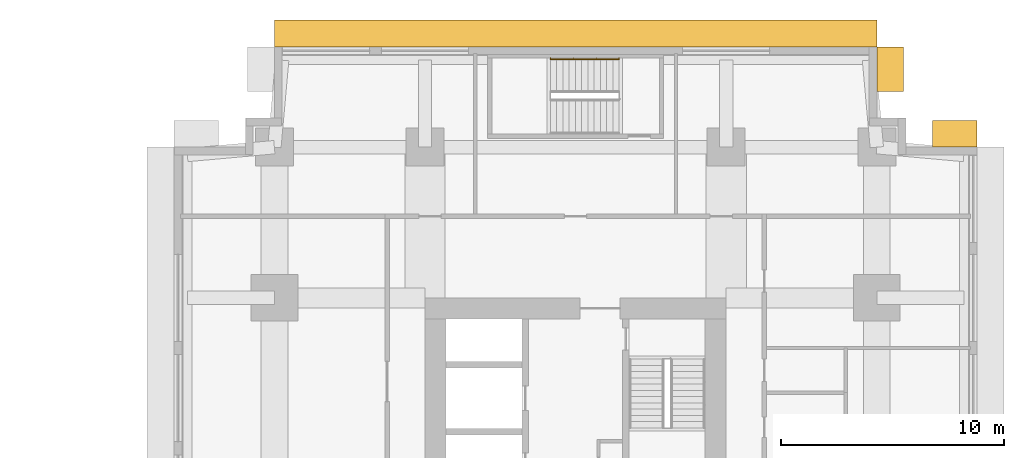
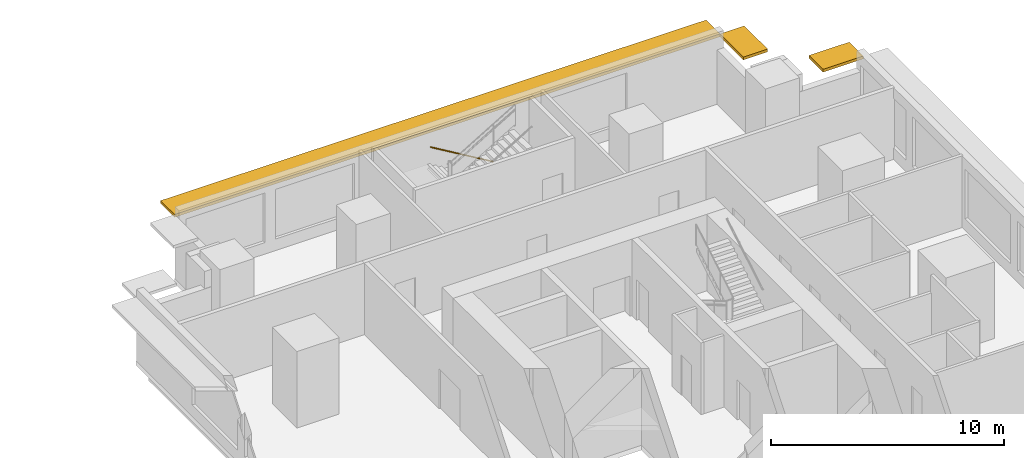
# One storey, part 11 of 11: 3 shading devices, 1 railing.
"""IFC4 building model written with IfcOpenShell, lengths in metres."""

from ifc_helpers import new_model, si_unit, direction, frame, origin, origin_2d, place, context, subcontext, project, spatial, rectangle, circle, extrude, material, layer, layer_set, type_object, element, save


model = new_model("IFC4")

# Units and contexts
model_context = context("Model", 3, precision=1e-05, world=origin(), true_north=direction((0.0, 1.0)))
body_context = subcontext(model_context, "Body", "Model", "MODEL_VIEW")
ifc_project = project(units=[si_unit("LENGTHUNIT", "METRE"), si_unit("AREAUNIT", "SQUARE_METRE"), si_unit("VOLUMEUNIT", "CUBIC_METRE"), si_unit("PLANEANGLEUNIT", "RADIAN"), si_unit("MASSUNIT", "GRAM", prefix="KILO")], contexts=[model_context])

# Site, building, storey
site_placement = place(None, origin())
site = spatial("IfcSite", under=ifc_project, at=site_placement, CompositionType="ELEMENT")
building_placement = place(site_placement, origin())
building = spatial("IfcBuilding", under=site, at=building_placement, Name="Namib Vertical Campus", CompositionType="ELEMENT")
storey_placement = place(building_placement, frame((0.0, 0.0, 69.0)))
storey = spatial("IfcBuildingStorey", under=building, at=storey_placement, Name="L16", CompositionType="ELEMENT", Elevation=69.0)

# Railing
ifc_material_1 = material(Name="Steel handrail", Category="steel")
railing_type = type_object("IfcRailingType", Name="Handrail 900", PredefinedType="HANDRAIL", material=ifc_material_1)
railing_placement = place(storey_placement, frame((82.949951171875, 39.949951171875, 0.166748046875)))
element("IfcRailing", 1, at=railing_placement, inside=storey, type_object=railing_type, Name="Handrail HR1 B-S3 L16 1", PredefinedType="HANDRAIL", context=body_context, shape_type="SweptSolid", body=[
    extrude(circle(Radius=0.02392578125, at=origin_2d()), frame((0.0, 0.0, 0.8759765625), z_axis=(-0.859290745958, 0.0, 0.51148745235), x_axis=(0.0, -1.0, 0.0)), (0.0, 0.0, 1.0), 3.584228515625),
    extrude(circle(Radius=0.008056640625, at=origin_2d()), frame((0.0, 0.0, 0.8759765625), z_axis=(0.0, 1.0, 0.0), x_axis=(0.0, 0.0, 1.0)), (0.0, 0.0, 1.0), 0.050048828125),
    extrude(circle(Radius=0.008056640625, at=origin_2d()), frame((-1.026611328125, 0.0, 1.48681640625), z_axis=(0.0, 1.0, 0.0), x_axis=(0.0, 0.0, 1.0)), (0.0, 0.0, 1.0), 0.050048828125),
    extrude(circle(Radius=0.008056640625, at=origin_2d()), frame((-2.05322265625, 0.0, 2.09814453125), z_axis=(0.0, 1.0, 0.0), x_axis=(0.0, 0.0, 1.0)), (0.0, 0.0, 1.0), 0.050048828125),
    extrude(circle(Radius=0.008056640625, at=origin_2d()), frame((-3.079833984375, 0.0, 2.708984375), z_axis=(0.0, 1.0, 0.0), x_axis=(0.0, 0.0, 1.0)), (0.0, 0.0, 1.0), 0.050048828125),
])

# Shading devices
ifc_material_2 = material(Name="Concrete C40/50 precast", Category="concrete")
ifc_layer = layer(ifc_material_2, 0.14990234375)
ifc_layer_set = layer_set([ifc_layer], Name="Concrete C40/50 precast")
shading_device_type = type_object("IfcShadingDeviceType", Name="Sunshade hood 1200", PredefinedType="SHUTTER", material=ifc_layer_set)
for number, where, z_axis, x_axis, name in (
    (2, (98.0, 36.60009765625, 3.199951171875), (0.0, 0.0, 1.0), (-1.0, 0.0, 0.0), "Sunshade SH2 L16 7"),
    (3, (95.10009765625, 39.5, 3.199951171875), (0.0, 0.0, 1.0), (0.0, 1.0, 0.0), "Sunshade SH2 L16 10"),
):
    element("IfcShadingDevice", number, at=place(storey_placement, frame(where, z_axis=z_axis, x_axis=x_axis)), inside=storey, type_object=shading_device_type, Name=name, PredefinedType="SHUTTER", context=body_context, shape_type="SweptSolid", body=[
        extrude(rectangle(XDim=2.0, YDim=1.199951171875, at=origin_2d()), origin(), (0.0, 0.0, 1.0), 0.14990234375),
    ])
shading_device_placement = place(storey_placement, frame((81.0, 41.10009765625, 3.199951171875), z_axis=(0.0, 0.0, 1.0), x_axis=(-1.0, 0.0, 0.0)))
element("IfcShadingDevice", 4, at=shading_device_placement, inside=storey, type_object=shading_device_type, Name="Sunshade SH2 L16 11", PredefinedType="SHUTTER", context=body_context, shape_type="SweptSolid", body=[
    extrude(rectangle(XDim=27.0, YDim=1.199951171875, at=origin_2d()), origin(), (0.0, 0.0, 1.0), 0.14990234375),
])

save(model, "model.ifc")
